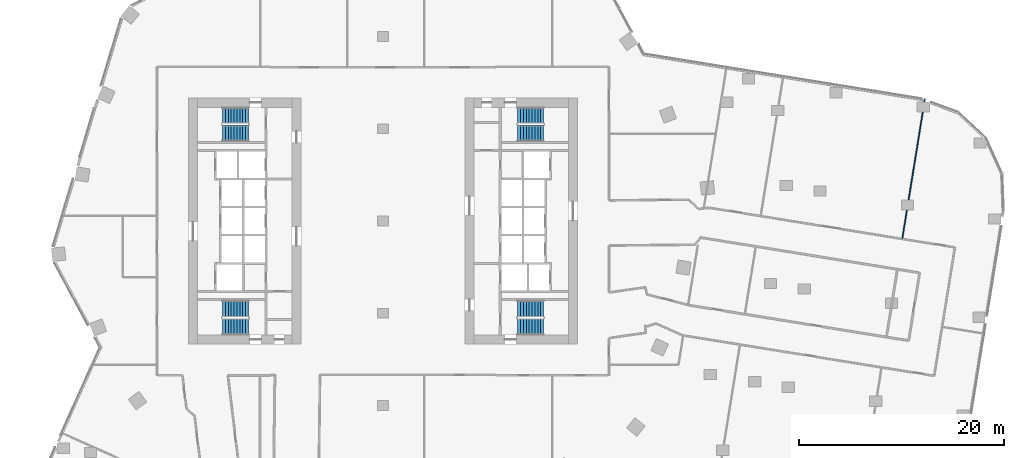
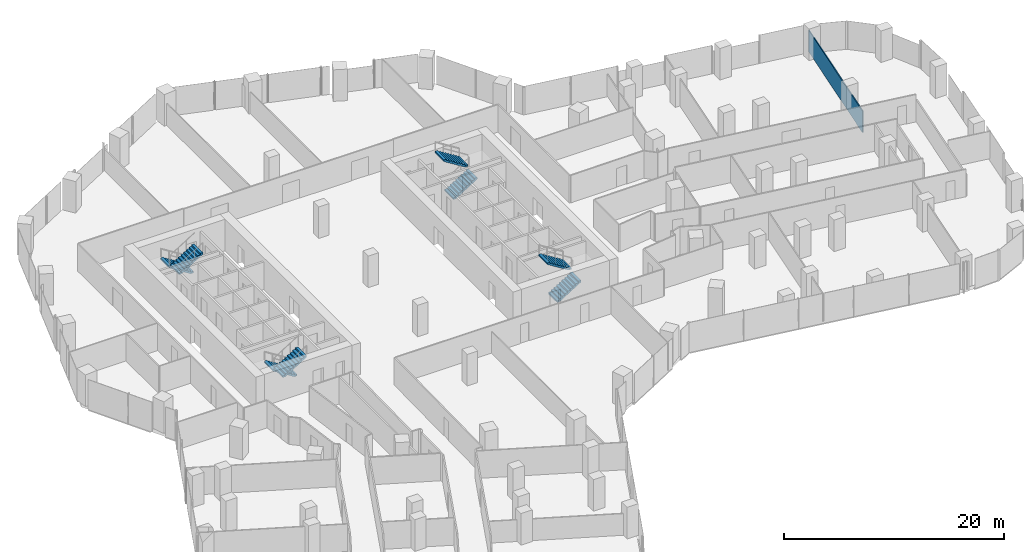
# One storey, part 30 of 34: 8 stair flights, 1 wall, 4 elements without a shape of their own.
"""IFC4 building model written with IfcOpenShell, lengths in metres."""

from ifc_helpers import new_model, si_unit, direction, frame, frame_2d, origin, place, context, subcontext, project, spatial, polyline, rectangle, outline, extrude, material, layer, layer_set, type_object, element, aggregate, save


model = new_model("IFC4")

# Units and contexts
model_context = context("Model", 3, precision=1e-05, world=origin(), true_north=direction((0.0, 1.0)))
body_context = subcontext(model_context, "Body", "Model", "MODEL_VIEW")
ifc_project = project(units=[si_unit("LENGTHUNIT", "METRE"), si_unit("AREAUNIT", "SQUARE_METRE"), si_unit("VOLUMEUNIT", "CUBIC_METRE"), si_unit("PLANEANGLEUNIT", "RADIAN"), si_unit("MASSUNIT", "GRAM", prefix="KILO")], contexts=[model_context])

# Site, building, storey
site_placement = place(None, origin())
site = spatial("IfcSite", under=ifc_project, at=site_placement, CompositionType="ELEMENT")
building_placement = place(site_placement, origin())
building = spatial("IfcBuilding", under=site, at=building_placement, Name="Orlundy Tower", CompositionType="ELEMENT")
storey_placement = place(building_placement, frame((0.0, 0.0, 137.699951171875)))
storey = spatial("IfcBuildingStorey", under=building, at=storey_placement, Name="L35", CompositionType="ELEMENT", Elevation=137.699951171875)

# Wall
ifc_material_1 = material(Name="Gypsum board partition")
ifc_layer = layer(ifc_material_1, 0.10009765625)
ifc_layer_set = layer_set([ifc_layer], Name="Floor partition 100 B")
wall_type = type_object("IfcWallType", Name="Floor partition 100 B", PredefinedType="PARTITIONING", material=ifc_layer_set)
wall_placement = place(storey_placement, frame((50.678955078125, -1.681884765625, 0.0), z_axis=(0.0, 0.0, 1.0), x_axis=(0.159341041875, 0.987223597963, 0.0)))
element("IfcWall", 1, at=wall_placement, inside=storey, type_object=wall_type, Name="wall-int-L35-066", PredefinedType="PARTITIONING", context=body_context, shape_type="SweptSolid", body=[
    extrude(rectangle(XDim=13.781982421875, YDim=0.10009765625, at=frame_2d((6.89111328125, 0.0))), origin(), (0.0, 0.0, 1.0), 2.39501953125),
])

# Stair, stair flights
ifc_material_2 = material(Name="Concrete C50/60", Category="concrete")
stair_type = type_object("IfcStairType", Name="Exit Stair 20 risers", PredefinedType="HALF_TURN_STAIR", material=ifc_material_2)
stair_1_placement = place(storey_placement, origin())
stair_1 = element("IfcStair", 2, at=stair_1_placement, inside=storey, type_object=stair_type, Name="L35 Exit Stair ST-W1", PredefinedType="HALF_TURN_STAIR")
ifc_material_3 = material(Name="Concrete C50/60", Category="concrete")
stair_flight_type = type_object("IfcStairFlightType", Name="Stair Flight 10 risers", PredefinedType="STRAIGHT", material=ifc_material_3)
stair_flight_1_placement = place(storey_placement, frame((-13.139892578125, 10.300048828125, 0.0), z_axis=(0.0, 0.0, 1.0), x_axis=(-1.0, 0.0, 0.0)))
stair_flight_1 = element("IfcStairFlight", 3, at=stair_flight_1_placement, type_object=stair_flight_type, Name="ST-W1 flight 1", NumberOfRisers=10, NumberOfTreads=9, PredefinedType="STRAIGHT", RiserHeight=0.175, TreadLength=0.28, context=body_context, shape_type="SweptSolid", body=[
    extrude(outline(polyline([(0.0, 0.0), (0.0, 0.175048828125), (0.280029296875, 0.175048828125), (0.280029296875, 0.35009765625), (0.56005859375, 0.35009765625), (0.56005859375, 0.52490234375), (0.840087890625, 0.52490234375), (0.840087890625, 0.699951171875), (1.1201171875, 0.699951171875), (1.1201171875, 0.875), (1.39990234375, 0.875), (1.39990234375, 1.050048828125), (1.679931640625, 1.050048828125), (1.679931640625, 1.22509765625), (1.9599609375, 1.22509765625), (1.9599609375, 1.39990234375), (2.239990234375, 1.39990234375), (2.239990234375, 1.574951171875), (2.52001953125, 1.574951171875), (2.52001953125, 1.75), (2.52001953125, 1.398193359375), (0.28271484375, 0.0), (0.0, 0.0)])), frame((0.0, 0.800048828125, 0.0), z_axis=(0.0, -1.0, 0.0), x_axis=(1.0, 0.0, 0.0)), (0.0, 0.0, 1.0), 1.60009765625),
])
stair_flight_2_placement = place(storey_placement, frame((-15.659912109375, 8.550048828125, 1.75), z_axis=(0.0, 0.0, 1.0), x_axis=(1.0, 0.0, 0.0)))
stair_flight_2 = element("IfcStairFlight", 4, at=stair_flight_2_placement, type_object=stair_flight_type, Name="ST-W1 flight 2", NumberOfRisers=10, NumberOfTreads=9, PredefinedType="STRAIGHT", RiserHeight=0.175, TreadLength=0.28, context=body_context, shape_type="SweptSolid", body=[
    extrude(outline(polyline([(0.0, 0.0), (0.0, 0.175048828125), (0.280029296875, 0.175048828125), (0.280029296875, 0.35009765625), (0.56005859375, 0.35009765625), (0.56005859375, 0.52490234375), (0.840087890625, 0.52490234375), (0.840087890625, 0.699951171875), (1.1201171875, 0.699951171875), (1.1201171875, 0.875), (1.39990234375, 0.875), (1.39990234375, 1.050048828125), (1.679931640625, 1.050048828125), (1.679931640625, 1.22509765625), (1.9599609375, 1.22509765625), (1.9599609375, 1.39990234375), (2.239990234375, 1.39990234375), (2.239990234375, 1.574951171875), (2.52001953125, 1.574951171875), (2.52001953125, 1.75), (2.52001953125, 1.398193359375), (0.28271484375, 0.0), (0.0, 0.0)])), frame((0.0, 0.800048828125, 0.0), z_axis=(0.0, -1.0, 0.0), x_axis=(1.0, 0.0, 0.0)), (0.0, 0.0, 1.0), 1.60009765625),
])
aggregate(stair_1, [stair_flight_1, stair_flight_2])

stair_2_placement = place(storey_placement, origin())
stair_2 = element("IfcStair", 5, at=stair_2_placement, inside=storey, type_object=stair_type, Name="L35 Exit Stair ST-W2", PredefinedType="HALF_TURN_STAIR")
stair_flight_3_placement = place(storey_placement, frame((-13.139892578125, -8.550048828125, 0.0), z_axis=(0.0, 0.0, 1.0), x_axis=(-1.0, 0.0, 0.0)))
stair_flight_3 = element("IfcStairFlight", 6, at=stair_flight_3_placement, type_object=stair_flight_type, Name="ST-W2 flight 1", NumberOfRisers=10, NumberOfTreads=9, PredefinedType="STRAIGHT", RiserHeight=0.175, TreadLength=0.28, context=body_context, shape_type="SweptSolid", body=[
    extrude(outline(polyline([(0.0, 0.0), (0.0, 0.175048828125), (0.280029296875, 0.175048828125), (0.280029296875, 0.35009765625), (0.56005859375, 0.35009765625), (0.56005859375, 0.52490234375), (0.840087890625, 0.52490234375), (0.840087890625, 0.699951171875), (1.1201171875, 0.699951171875), (1.1201171875, 0.875), (1.39990234375, 0.875), (1.39990234375, 1.050048828125), (1.679931640625, 1.050048828125), (1.679931640625, 1.22509765625), (1.9599609375, 1.22509765625), (1.9599609375, 1.39990234375), (2.239990234375, 1.39990234375), (2.239990234375, 1.574951171875), (2.52001953125, 1.574951171875), (2.52001953125, 1.75), (2.52001953125, 1.398193359375), (0.28271484375, 0.0), (0.0, 0.0)])), frame((0.0, 0.800048828125, 0.0), z_axis=(0.0, -1.0, 0.0), x_axis=(1.0, 0.0, 0.0)), (0.0, 0.0, 1.0), 1.60009765625),
])
stair_flight_4_placement = place(storey_placement, frame((-15.659912109375, -10.300048828125, 1.75), z_axis=(0.0, 0.0, 1.0), x_axis=(1.0, 0.0, 0.0)))
stair_flight_4 = element("IfcStairFlight", 7, at=stair_flight_4_placement, type_object=stair_flight_type, Name="ST-W2 flight 2", NumberOfRisers=10, NumberOfTreads=9, PredefinedType="STRAIGHT", RiserHeight=0.175, TreadLength=0.28, context=body_context, shape_type="SweptSolid", body=[
    extrude(outline(polyline([(0.0, 0.0), (0.0, 0.175048828125), (0.280029296875, 0.175048828125), (0.280029296875, 0.35009765625), (0.56005859375, 0.35009765625), (0.56005859375, 0.52490234375), (0.840087890625, 0.52490234375), (0.840087890625, 0.699951171875), (1.1201171875, 0.699951171875), (1.1201171875, 0.875), (1.39990234375, 0.875), (1.39990234375, 1.050048828125), (1.679931640625, 1.050048828125), (1.679931640625, 1.22509765625), (1.9599609375, 1.22509765625), (1.9599609375, 1.39990234375), (2.239990234375, 1.39990234375), (2.239990234375, 1.574951171875), (2.52001953125, 1.574951171875), (2.52001953125, 1.75), (2.52001953125, 1.398193359375), (0.28271484375, 0.0), (0.0, 0.0)])), frame((0.0, 0.800048828125, 0.0), z_axis=(0.0, -1.0, 0.0), x_axis=(1.0, 0.0, 0.0)), (0.0, 0.0, 1.0), 1.60009765625),
])
aggregate(stair_2, [stair_flight_3, stair_flight_4])

stair_3_placement = place(storey_placement, origin())
stair_3 = element("IfcStair", 8, at=stair_3_placement, inside=storey, type_object=stair_type, Name="L35 Exit Stair ST-E1", PredefinedType="HALF_TURN_STAIR")
stair_flight_5_placement = place(storey_placement, frame((13.139892578125, -10.300048828125, 0.0), z_axis=(0.0, 0.0, 1.0), x_axis=(1.0, 0.0, 0.0)))
stair_flight_5 = element("IfcStairFlight", 9, at=stair_flight_5_placement, type_object=stair_flight_type, Name="ST-E1 flight 1", NumberOfRisers=10, NumberOfTreads=9, PredefinedType="STRAIGHT", RiserHeight=0.175, TreadLength=0.28, context=body_context, shape_type="SweptSolid", body=[
    extrude(outline(polyline([(0.0, 0.0), (0.0, 0.175048828125), (0.280029296875, 0.175048828125), (0.280029296875, 0.35009765625), (0.56005859375, 0.35009765625), (0.56005859375, 0.52490234375), (0.840087890625, 0.52490234375), (0.840087890625, 0.699951171875), (1.1201171875, 0.699951171875), (1.1201171875, 0.875), (1.39990234375, 0.875), (1.39990234375, 1.050048828125), (1.679931640625, 1.050048828125), (1.679931640625, 1.22509765625), (1.9599609375, 1.22509765625), (1.9599609375, 1.39990234375), (2.239990234375, 1.39990234375), (2.239990234375, 1.574951171875), (2.52001953125, 1.574951171875), (2.52001953125, 1.75), (2.52001953125, 1.398193359375), (0.28271484375, 0.0), (0.0, 0.0)])), frame((0.0, 0.800048828125, 0.0), z_axis=(0.0, -1.0, 0.0), x_axis=(1.0, 0.0, 0.0)), (0.0, 0.0, 1.0), 1.60009765625),
])
stair_flight_6_placement = place(storey_placement, frame((15.659912109375, -8.550048828125, 1.75), z_axis=(0.0, 0.0, 1.0), x_axis=(-1.0, 0.0, 0.0)))
stair_flight_6 = element("IfcStairFlight", 10, at=stair_flight_6_placement, type_object=stair_flight_type, Name="ST-E1 flight 2", NumberOfRisers=10, NumberOfTreads=9, PredefinedType="STRAIGHT", RiserHeight=0.175, TreadLength=0.28, context=body_context, shape_type="SweptSolid", body=[
    extrude(outline(polyline([(0.0, 0.0), (0.0, 0.175048828125), (0.280029296875, 0.175048828125), (0.280029296875, 0.35009765625), (0.56005859375, 0.35009765625), (0.56005859375, 0.52490234375), (0.840087890625, 0.52490234375), (0.840087890625, 0.699951171875), (1.1201171875, 0.699951171875), (1.1201171875, 0.875), (1.39990234375, 0.875), (1.39990234375, 1.050048828125), (1.679931640625, 1.050048828125), (1.679931640625, 1.22509765625), (1.9599609375, 1.22509765625), (1.9599609375, 1.39990234375), (2.239990234375, 1.39990234375), (2.239990234375, 1.574951171875), (2.52001953125, 1.574951171875), (2.52001953125, 1.75), (2.52001953125, 1.398193359375), (0.28271484375, 0.0), (0.0, 0.0)])), frame((0.0, 0.800048828125, 0.0), z_axis=(0.0, -1.0, 0.0), x_axis=(1.0, 0.0, 0.0)), (0.0, 0.0, 1.0), 1.60009765625),
])
aggregate(stair_3, [stair_flight_5, stair_flight_6])

stair_4_placement = place(storey_placement, origin())
stair_4 = element("IfcStair", 11, at=stair_4_placement, inside=storey, type_object=stair_type, Name="L35 Exit Stair ST-E2", PredefinedType="HALF_TURN_STAIR")
stair_flight_7_placement = place(storey_placement, frame((13.139892578125, 8.550048828125, 0.0), z_axis=(0.0, 0.0, 1.0), x_axis=(1.0, 0.0, 0.0)))
stair_flight_7 = element("IfcStairFlight", 12, at=stair_flight_7_placement, type_object=stair_flight_type, Name="ST-E2 flight 1", NumberOfRisers=10, NumberOfTreads=9, PredefinedType="STRAIGHT", RiserHeight=0.175, TreadLength=0.28, context=body_context, shape_type="SweptSolid", body=[
    extrude(outline(polyline([(0.0, 0.0), (0.0, 0.175048828125), (0.280029296875, 0.175048828125), (0.280029296875, 0.35009765625), (0.56005859375, 0.35009765625), (0.56005859375, 0.52490234375), (0.840087890625, 0.52490234375), (0.840087890625, 0.699951171875), (1.1201171875, 0.699951171875), (1.1201171875, 0.875), (1.39990234375, 0.875), (1.39990234375, 1.050048828125), (1.679931640625, 1.050048828125), (1.679931640625, 1.22509765625), (1.9599609375, 1.22509765625), (1.9599609375, 1.39990234375), (2.239990234375, 1.39990234375), (2.239990234375, 1.574951171875), (2.52001953125, 1.574951171875), (2.52001953125, 1.75), (2.52001953125, 1.398193359375), (0.28271484375, 0.0), (0.0, 0.0)])), frame((0.0, 0.800048828125, 0.0), z_axis=(0.0, -1.0, 0.0), x_axis=(1.0, 0.0, 0.0)), (0.0, 0.0, 1.0), 1.60009765625),
])
stair_flight_8_placement = place(storey_placement, frame((15.659912109375, 10.300048828125, 1.75), z_axis=(0.0, 0.0, 1.0), x_axis=(-1.0, 0.0, 0.0)))
stair_flight_8 = element("IfcStairFlight", 13, at=stair_flight_8_placement, type_object=stair_flight_type, Name="ST-E2 flight 2", NumberOfRisers=10, NumberOfTreads=9, PredefinedType="STRAIGHT", RiserHeight=0.175, TreadLength=0.28, context=body_context, shape_type="SweptSolid", body=[
    extrude(outline(polyline([(0.0, 0.0), (0.0, 0.175048828125), (0.280029296875, 0.175048828125), (0.280029296875, 0.35009765625), (0.56005859375, 0.35009765625), (0.56005859375, 0.52490234375), (0.840087890625, 0.52490234375), (0.840087890625, 0.699951171875), (1.1201171875, 0.699951171875), (1.1201171875, 0.875), (1.39990234375, 0.875), (1.39990234375, 1.050048828125), (1.679931640625, 1.050048828125), (1.679931640625, 1.22509765625), (1.9599609375, 1.22509765625), (1.9599609375, 1.39990234375), (2.239990234375, 1.39990234375), (2.239990234375, 1.574951171875), (2.52001953125, 1.574951171875), (2.52001953125, 1.75), (2.52001953125, 1.398193359375), (0.28271484375, 0.0), (0.0, 0.0)])), frame((0.0, 0.800048828125, 0.0), z_axis=(0.0, -1.0, 0.0), x_axis=(1.0, 0.0, 0.0)), (0.0, 0.0, 1.0), 1.60009765625),
])
aggregate(stair_4, [stair_flight_7, stair_flight_8])

save(model, "model.ifc")
